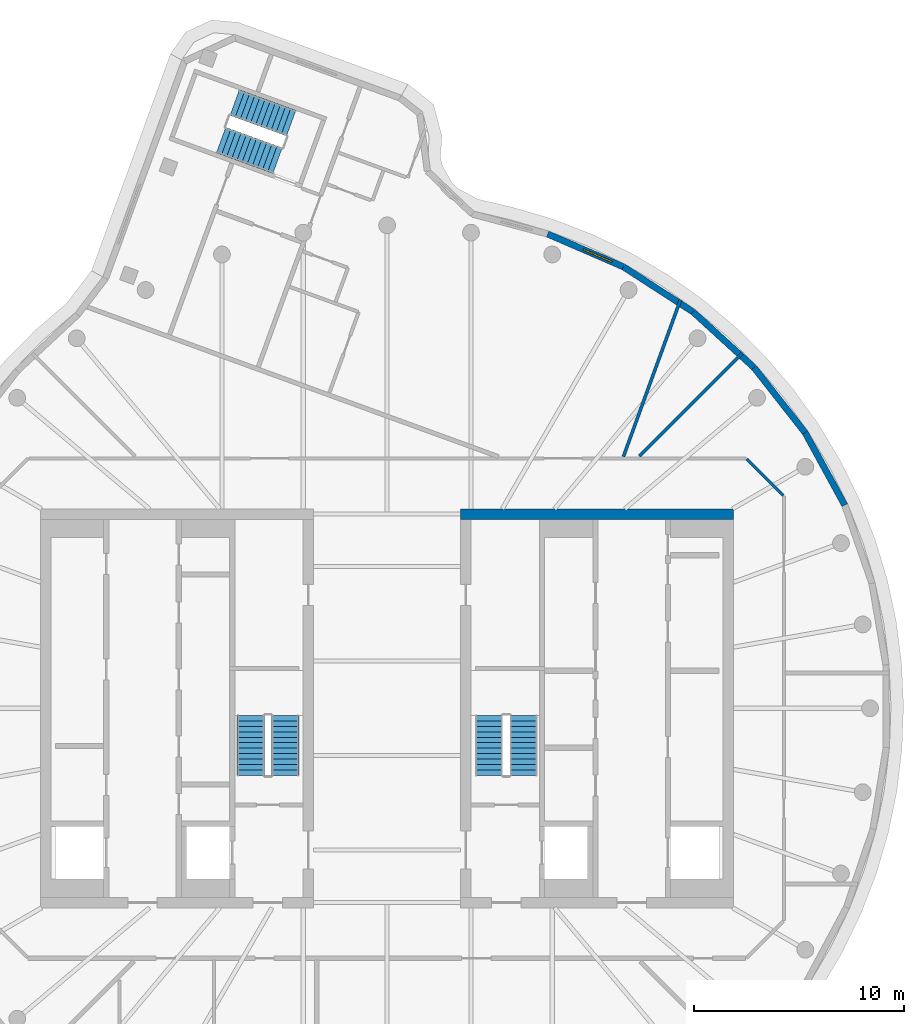
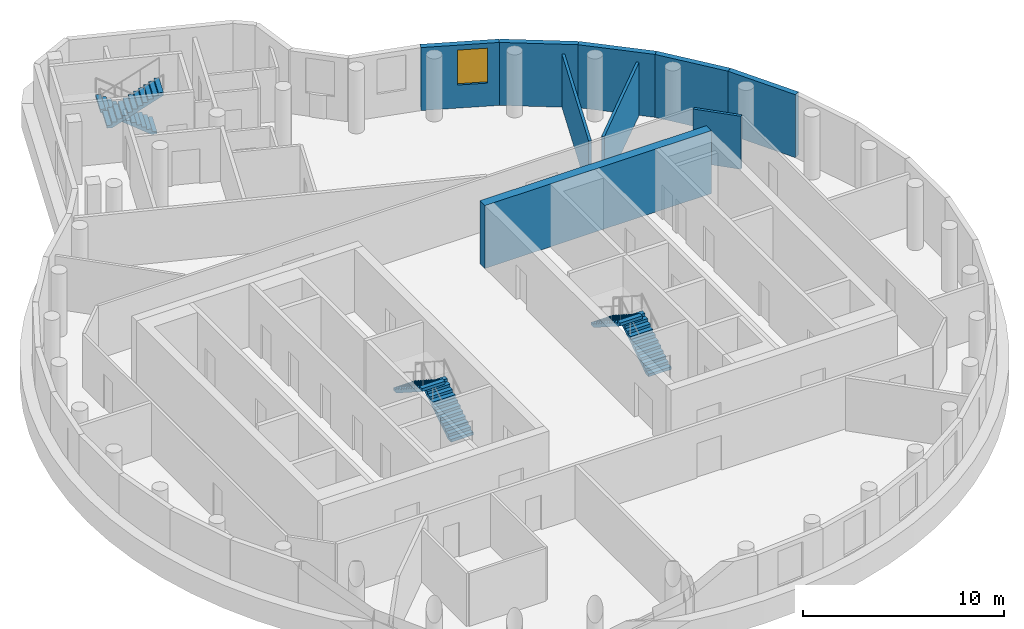
# One storey, part 6 of 7: 9 walls, 6 stair flights, 1 window, 1 opening, 3 elements without a shape of their own.
"""IFC4 building model written with IfcOpenShell, lengths in metres."""

from ifc_helpers import new_model, si_unit, direction, frame, frame_2d, origin, place, context, subcontext, project, spatial, polyline, rectangle, outline, extrude, material, layer, layer_set, type_object, element, fill, aggregate, save


model = new_model("IFC4")

# Units and contexts
model_context = context("Model", 3, precision=1e-05, world=origin(), true_north=direction((0.0, 1.0)))
body_context = subcontext(model_context, "Body", "Model", "MODEL_VIEW")
ifc_project = project(units=[si_unit("LENGTHUNIT", "METRE"), si_unit("AREAUNIT", "SQUARE_METRE"), si_unit("VOLUMEUNIT", "CUBIC_METRE"), si_unit("PLANEANGLEUNIT", "RADIAN"), si_unit("MASSUNIT", "GRAM", prefix="KILO")], contexts=[model_context])

# Site, building, storey
site_placement = place(None, origin())
site = spatial("IfcSite", under=ifc_project, at=site_placement, CompositionType="ELEMENT")
building_placement = place(site_placement, origin())
building = spatial("IfcBuilding", under=site, at=building_placement, Name="Tamarind Cross Interchange Tower", CompositionType="ELEMENT")
storey_placement = place(building_placement, frame((0.0, 0.0, 321.39990234375)))
storey = spatial("IfcBuildingStorey", under=building, at=storey_placement, Name="L79", CompositionType="ELEMENT", Elevation=321.39990234375)

# Walls
ifc_material_1 = material(Name="Concrete C50", Category="concrete")
ifc_layer_1 = layer(ifc_material_1, 0.5)
ifc_layer_set_1 = layer_set([ifc_layer_1], Name="Concrete C50")
wall_type_1 = type_object("IfcWallType", Name="Core wall 500 mm Concrete C50", PredefinedType="SHEAR", material=ifc_layer_set_1)
wall_1_placement = place(storey_placement, frame((16.5, 9.25, 0.0), z_axis=(0.0, 0.0, 1.0), x_axis=(-1.0, 0.0, 0.0)))
element("IfcWall", 1, at=wall_1_placement, inside=storey, type_object=wall_type_1, Name="Core wall CWL-L79-E-NE", PredefinedType="SHEAR", context=body_context, shape_type="SweptSolid", body=[
    extrude(rectangle(XDim=13.0, YDim=0.5, at=frame_2d((6.5, 0.0))), origin(), (0.0, 0.0, 1.0), 3.820068359375),
])
ifc_material_2 = material(Name="Gypsum board partition on steel studs", Category="steel")
ifc_layer_2 = layer(ifc_material_2, 0.14990234375)
ifc_layer_set_2 = layer_set([ifc_layer_2], Name="Gypsum board partition on steel studs")
wall_type_2 = type_object("IfcWallType", Name="Partition 150 mm EI 120", PredefinedType="PARTITIONING", material=ifc_layer_set_2)
wall_2_placement = place(storey_placement, frame((17.12841796875, 11.87158203125, 0.0), z_axis=(0.0, 0.0, 1.0), x_axis=(0.707106781187, -0.707106781187, 0.0)))
element("IfcWall", 2, at=wall_2_placement, inside=storey, type_object=wall_type_2, Name="Partition L79-004", PredefinedType="PARTITIONING", context=body_context, shape_type="SweptSolid", body=[
    extrude(rectangle(XDim=2.465087890625, YDim=0.14990234375, at=frame_2d((1.232421875, 0.0))), origin(), (0.0, 0.0, 1.0), 3.22021484375),
])
wall_3_placement = place(storey_placement, frame((12.009521484375, 12.009521484375, 0.0), z_axis=(0.0, 0.0, 1.0), x_axis=(0.707106781187, 0.707106781187, 0.0)))
element("IfcWall", 3, at=wall_3_placement, inside=storey, type_object=wall_type_2, Name="Partition L79-020", PredefinedType="PARTITIONING", context=body_context, shape_type="SweptSolid", body=[
    extrude(rectangle(XDim=6.954345703125, YDim=0.14990234375, at=frame_2d((3.47705078125, 0.0))), origin(), (0.0, 0.0, 1.0), 3.22021484375),
])
wall_4_placement = place(storey_placement, frame((11.25390625, 11.984619140625, 0.0), z_axis=(0.0, 0.0, 1.0), x_axis=(0.341898627175, 0.93973684015, 0.0)))
element("IfcWall", 4, at=wall_4_placement, inside=storey, type_object=wall_type_2, Name="Partition L79-030", PredefinedType="PARTITIONING", context=body_context, shape_type="SweptSolid", body=[
    extrude(rectangle(XDim=7.938232421875, YDim=0.14990234375, at=frame_2d((3.96923828125, 0.0))), origin(), (0.0, 0.0, 1.0), 3.22021484375),
])
ifc_material_3 = material(Name="Precast concrete C40", Category="concrete")
ifc_layer_3 = layer(ifc_material_3, 0.300048828125)
ifc_layer_set_3 = layer_set([ifc_layer_3], Name="Precast concrete C40")
wall_type_3 = type_object("IfcWallType", Name="Plant louvre wall", PredefinedType="SOLIDWALL", material=ifc_layer_set_3)
wall_5_placement = place(storey_placement, frame((21.7958984375, 9.672607421875, 0.0), z_axis=(0.0, 0.0, 1.0), x_axis=(-0.479742253376, 0.877409465601, 0.0)))
element("IfcWall", 5, at=wall_5_placement, inside=storey, type_object=wall_type_3, Name="EXW-L79-02-28", PredefinedType="SOLIDWALL", context=body_context, shape_type="SweptSolid", body=[
    extrude(rectangle(XDim=3.9384765625, YDim=0.300048828125, at=frame_2d((1.96923828125, 0.0))), origin(), (0.0, 0.0, 1.0), 3.820068359375),
])
wall_6_placement = place(storey_placement, frame((19.906494140625, 13.128173828125, 0.0), z_axis=(0.0, 0.0, 1.0), x_axis=(-0.617577851206, 0.786509756901, 0.0)))
element("IfcWall", 6, at=wall_6_placement, inside=storey, type_object=wall_type_3, Name="EXW-L79-02-29", PredefinedType="SOLIDWALL", context=body_context, shape_type="SweptSolid", body=[
    extrude(rectangle(XDim=3.938232421875, YDim=0.300048828125, at=frame_2d((1.96923828125, 0.0))), origin(), (0.0, 0.0, 1.0), 3.820068359375),
])
wall_7_placement = place(storey_placement, frame((17.474365234375, 16.2255859375, 0.0), z_axis=(0.0, 0.0, 1.0), x_axis=(-0.738634435884, 0.674106200926, 0.0)))
element("IfcWall", 7, at=wall_7_placement, inside=storey, type_object=wall_type_3, Name="EXW-L79-02-30", PredefinedType="SOLIDWALL", context=body_context, shape_type="SweptSolid", body=[
    extrude(rectangle(XDim=3.9384765625, YDim=0.300048828125, at=frame_2d((1.96923828125, 0.0))), origin(), (0.0, 0.0, 1.0), 3.820068359375),
])
wall_8_placement = place(storey_placement, frame((14.565185546875, 18.880615234375, 0.0), z_axis=(0.0, 0.0, 1.0), x_axis=(-0.839498632024, 0.54336180104, 0.0)))
element("IfcWall", 8, at=wall_8_placement, inside=storey, type_object=wall_type_3, Name="EXW-L79-02-31", PredefinedType="SOLIDWALL", context=body_context, shape_type="SweptSolid", body=[
    extrude(rectangle(XDim=3.938232421875, YDim=0.300048828125, at=frame_2d((1.96923828125, 0.0))), origin(), (0.0, 0.0, 1.0), 3.820068359375),
])

# Wall, opening, window
wall_9_placement = place(storey_placement, frame((11.259033203125, 21.0205078125, 0.0), z_axis=(0.0, 0.0, 1.0), x_axis=(-0.917505110173, 0.397723990735, 0.0)))
wall_9 = element("IfcWall", 9, at=wall_9_placement, inside=storey, type_object=wall_type_3, Name="EXW-L79-02-32", PredefinedType="SOLIDWALL", context=body_context, shape_type="SweptSolid", body=[
    extrude(rectangle(XDim=3.9384765625, YDim=0.300048828125, at=frame_2d((1.96923828125, 0.0))), origin(), (0.0, 0.0, 1.0), 3.820068359375),
])
opening_placement = place(wall_9_placement, frame((0.60009765625, 0.0, 1.39990234375)))
opening = element("IfcOpeningElement", 10, at=opening_placement, cuts=wall_9, Name="Opening W2", PredefinedType="OPENING", context=body_context, shape_type="SweptSolid", body=[
    extrude(rectangle(XDim=1.498291015625, YDim=2.1201171875, at=frame_2d((0.7490234375, 1.06005859375))), frame((0.0, 0.159912109375, 0.0), z_axis=(0.0, -1.0, 0.0), x_axis=(1.0, 0.0, 0.0)), (0.0, 0.0, 1.0), 0.320068359375),
])
ifc_material_4 = material(Name="Aluminium louvre", Category="aluminium")
window_type = type_object("IfcWindowType", Name="Plant louvre bank", PartitioningType="SINGLE_PANEL", PredefinedType="WINDOW", material=ifc_material_4)
window_placement = place(opening_placement, origin())
window = element("IfcWindow", 11, at=window_placement, inside=storey, type_object=window_type, Name="WIN-L79-02-32", OverallHeight=2.1201171875, OverallWidth=1.498291015625, PartitioningType="SINGLE_PANEL", PredefinedType="WINDOW", context=body_context, shape_type="SweptSolid", body=[
    extrude(rectangle(XDim=1.498291015625, YDim=2.1201171875, at=frame_2d((0.7490234375, 1.06005859375))), frame((0.0, 0.030029296875, 0.0), z_axis=(0.0, -1.0, 0.0), x_axis=(1.0, 0.0, 0.0)), (0.0, 0.0, 1.0), 0.06005859375),
])
fill(opening, window)

# Stair, stair flights
ifc_material_5 = material(Name="Exit stair")
stair_type = type_object("IfcStairType", Name="Exit stair", PredefinedType="HALF_TURN_STAIR", material=ifc_material_5)
stair_1_placement = place(storey_placement, origin())
stair_1 = element("IfcStair", 12, at=stair_1_placement, inside=storey, type_object=stair_type, Name="L79 exit stair ST1", PredefinedType="HALF_TURN_STAIR")
ifc_material_6 = material(Name="Exit stair flight")
stair_flight_type = type_object("IfcStairFlightType", Name="Exit stair flight", PredefinedType="STRAIGHT", material=ifc_material_6)
stair_flight_1_placement = place(storey_placement, frame((-4.85009765625, -3.199951171875, 0.0), z_axis=(0.0, 0.0, 1.0), x_axis=(0.0, 1.0, 0.0)))
stair_flight_1 = element("IfcStairFlight", 13, at=stair_flight_1_placement, type_object=stair_flight_type, Name="ST1 flight 1", NumberOfRisers=12, NumberOfTreads=11, PredefinedType="STRAIGHT", RiserHeight=0.166666667, TreadLength=0.26, context=body_context, shape_type="SweptSolid", body=[
    extrude(outline(polyline([(0.0, 0.0), (0.0, 0.166748046875), (0.260009765625, 0.166748046875), (0.260009765625, 0.333251953125), (0.52001953125, 0.333251953125), (0.52001953125, 0.5), (0.780029296875, 0.5), (0.780029296875, 0.666748046875), (1.0400390625, 0.666748046875), (1.0400390625, 0.833251953125), (1.300048828125, 0.833251953125), (1.300048828125, 1.0), (1.56005859375, 1.0), (1.56005859375, 1.166748046875), (1.820068359375, 1.166748046875), (1.820068359375, 1.333251953125), (2.080078125, 1.333251953125), (2.080078125, 1.5), (2.340087890625, 1.5), (2.340087890625, 1.666748046875), (2.60009765625, 1.666748046875), (2.60009765625, 1.833251953125), (2.860107421875, 1.833251953125), (2.860107421875, 2.0), (2.860107421875, 1.6552734375), (0.27783203125, 0.0), (0.0, 0.0)])), frame((0.0, 0.64990234375, 0.0), z_axis=(0.0, -1.0, 0.0), x_axis=(1.0, 0.0, 0.0)), (0.0, 0.0, 1.0), 1.300048828125),
])
stair_flight_2_placement = place(storey_placement, frame((-6.5, -0.340087890625, 2.0), z_axis=(0.0, 0.0, 1.0), x_axis=(0.0, -1.0, 0.0)))
stair_flight_2 = element("IfcStairFlight", 14, at=stair_flight_2_placement, type_object=stair_flight_type, Name="ST1 flight 2", NumberOfRisers=12, NumberOfTreads=11, PredefinedType="STRAIGHT", RiserHeight=0.166666667, TreadLength=0.26, context=body_context, shape_type="SweptSolid", body=[
    extrude(outline(polyline([(0.0, 0.0), (0.0, 0.166748046875), (0.260009765625, 0.166748046875), (0.260009765625, 0.333251953125), (0.52001953125, 0.333251953125), (0.52001953125, 0.5), (0.780029296875, 0.5), (0.780029296875, 0.666748046875), (1.0400390625, 0.666748046875), (1.0400390625, 0.833251953125), (1.300048828125, 0.833251953125), (1.300048828125, 1.0), (1.56005859375, 1.0), (1.56005859375, 1.166748046875), (1.820068359375, 1.166748046875), (1.820068359375, 1.333251953125), (2.080078125, 1.333251953125), (2.080078125, 1.5), (2.340087890625, 1.5), (2.340087890625, 1.666748046875), (2.60009765625, 1.666748046875), (2.60009765625, 1.833251953125), (2.860107421875, 1.833251953125), (2.860107421875, 2.0), (2.860107421875, 1.6552734375), (0.27783203125, 0.0), (0.0, 0.0)])), frame((0.0, 0.64990234375, 0.0), z_axis=(0.0, -1.0, 0.0), x_axis=(1.0, 0.0, 0.0)), (0.0, 0.0, 1.0), 1.300048828125),
])
aggregate(stair_1, [stair_flight_1, stair_flight_2])

stair_2_placement = place(storey_placement, origin())
stair_2 = element("IfcStair", 15, at=stair_2_placement, inside=storey, type_object=stair_type, Name="L79 exit stair ST2", PredefinedType="HALF_TURN_STAIR")
stair_flight_3_placement = place(storey_placement, frame((6.5, -3.199951171875, 0.0), z_axis=(0.0, 0.0, 1.0), x_axis=(0.0, 1.0, 0.0)))
stair_flight_3 = element("IfcStairFlight", 16, at=stair_flight_3_placement, type_object=stair_flight_type, Name="ST2 flight 1", NumberOfRisers=12, NumberOfTreads=11, PredefinedType="STRAIGHT", RiserHeight=0.166666667, TreadLength=0.26, context=body_context, shape_type="SweptSolid", body=[
    extrude(outline(polyline([(0.0, 0.0), (0.0, 0.166748046875), (0.260009765625, 0.166748046875), (0.260009765625, 0.333251953125), (0.52001953125, 0.333251953125), (0.52001953125, 0.5), (0.780029296875, 0.5), (0.780029296875, 0.666748046875), (1.0400390625, 0.666748046875), (1.0400390625, 0.833251953125), (1.300048828125, 0.833251953125), (1.300048828125, 1.0), (1.56005859375, 1.0), (1.56005859375, 1.166748046875), (1.820068359375, 1.166748046875), (1.820068359375, 1.333251953125), (2.080078125, 1.333251953125), (2.080078125, 1.5), (2.340087890625, 1.5), (2.340087890625, 1.666748046875), (2.60009765625, 1.666748046875), (2.60009765625, 1.833251953125), (2.860107421875, 1.833251953125), (2.860107421875, 2.0), (2.860107421875, 1.6552734375), (0.27783203125, 0.0), (0.0, 0.0)])), frame((0.0, 0.64990234375, 0.0), z_axis=(0.0, -1.0, 0.0), x_axis=(1.0, 0.0, 0.0)), (0.0, 0.0, 1.0), 1.300048828125),
])
stair_flight_4_placement = place(storey_placement, frame((4.85009765625, -0.340087890625, 2.0), z_axis=(0.0, 0.0, 1.0), x_axis=(0.0, -1.0, 0.0)))
stair_flight_4 = element("IfcStairFlight", 17, at=stair_flight_4_placement, type_object=stair_flight_type, Name="ST2 flight 2", NumberOfRisers=12, NumberOfTreads=11, PredefinedType="STRAIGHT", RiserHeight=0.166666667, TreadLength=0.26, context=body_context, shape_type="SweptSolid", body=[
    extrude(outline(polyline([(0.0, 0.0), (0.0, 0.166748046875), (0.260009765625, 0.166748046875), (0.260009765625, 0.333251953125), (0.52001953125, 0.333251953125), (0.52001953125, 0.5), (0.780029296875, 0.5), (0.780029296875, 0.666748046875), (1.0400390625, 0.666748046875), (1.0400390625, 0.833251953125), (1.300048828125, 0.833251953125), (1.300048828125, 1.0), (1.56005859375, 1.0), (1.56005859375, 1.166748046875), (1.820068359375, 1.166748046875), (1.820068359375, 1.333251953125), (2.080078125, 1.333251953125), (2.080078125, 1.5), (2.340087890625, 1.5), (2.340087890625, 1.666748046875), (2.60009765625, 1.666748046875), (2.60009765625, 1.833251953125), (2.860107421875, 1.833251953125), (2.860107421875, 2.0), (2.860107421875, 1.6552734375), (0.27783203125, 0.0), (0.0, 0.0)])), frame((0.0, 0.64990234375, 0.0), z_axis=(0.0, -1.0, 0.0), x_axis=(1.0, 0.0, 0.0)), (0.0, 0.0, 1.0), 1.300048828125),
])
aggregate(stair_2, [stair_flight_3, stair_flight_4])

stair_3_placement = place(storey_placement, origin())
stair_3 = element("IfcStair", 18, at=stair_3_placement, inside=storey, type_object=stair_type, Name="L79 exit stair ST4", PredefinedType="HALF_TURN_STAIR")
stair_flight_5_placement = place(storey_placement, frame((-4.5693359375, 27.866455078125, 0.0), z_axis=(0.0, 0.0, 1.0), x_axis=(-0.939702171424, 0.341993902024, 0.0)))
stair_flight_5 = element("IfcStairFlight", 19, at=stair_flight_5_placement, type_object=stair_flight_type, Name="ST4 flight 1", NumberOfRisers=12, NumberOfTreads=11, PredefinedType="STRAIGHT", RiserHeight=0.166666667, TreadLength=0.26, context=body_context, shape_type="SweptSolid", body=[
    extrude(outline(polyline([(0.0, 0.0), (0.0, 0.166748046875), (0.260009765625, 0.166748046875), (0.260009765625, 0.333251953125), (0.52001953125, 0.333251953125), (0.52001953125, 0.5), (0.780029296875, 0.5), (0.780029296875, 0.666748046875), (1.0400390625, 0.666748046875), (1.0400390625, 0.833251953125), (1.300048828125, 0.833251953125), (1.300048828125, 1.0), (1.56005859375, 1.0), (1.56005859375, 1.166748046875), (1.820068359375, 1.166748046875), (1.820068359375, 1.333251953125), (2.080078125, 1.333251953125), (2.080078125, 1.5), (2.340087890625, 1.5), (2.340087890625, 1.666748046875), (2.60009765625, 1.666748046875), (2.60009765625, 1.833251953125), (2.860107421875, 1.833251953125), (2.860107421875, 2.0), (2.860107421875, 1.6552734375), (0.27783203125, 0.0), (0.0, 0.0)])), frame((0.0, 0.64990234375, 0.0), z_axis=(0.0, -1.0, 0.0), x_axis=(1.0, 0.0, 0.0)), (0.0, 0.0, 1.0), 1.300048828125),
])
stair_flight_6_placement = place(storey_placement, frame((-7.906494140625, 27.05908203125, 2.0), z_axis=(0.0, 0.0, 1.0), x_axis=(0.939702171424, -0.341993902024, 0.0)))
stair_flight_6 = element("IfcStairFlight", 20, at=stair_flight_6_placement, type_object=stair_flight_type, Name="ST4 flight 2", NumberOfRisers=12, NumberOfTreads=11, PredefinedType="STRAIGHT", RiserHeight=0.166666667, TreadLength=0.26, context=body_context, shape_type="SweptSolid", body=[
    extrude(outline(polyline([(0.0, 0.0), (0.0, 0.166748046875), (0.260009765625, 0.166748046875), (0.260009765625, 0.333251953125), (0.52001953125, 0.333251953125), (0.52001953125, 0.5), (0.780029296875, 0.5), (0.780029296875, 0.666748046875), (1.0400390625, 0.666748046875), (1.0400390625, 0.833251953125), (1.300048828125, 0.833251953125), (1.300048828125, 1.0), (1.56005859375, 1.0), (1.56005859375, 1.166748046875), (1.820068359375, 1.166748046875), (1.820068359375, 1.333251953125), (2.080078125, 1.333251953125), (2.080078125, 1.5), (2.340087890625, 1.5), (2.340087890625, 1.666748046875), (2.60009765625, 1.666748046875), (2.60009765625, 1.833251953125), (2.860107421875, 1.833251953125), (2.860107421875, 2.0), (2.860107421875, 1.6552734375), (0.27783203125, 0.0), (0.0, 0.0)])), frame((0.0, 0.64990234375, 0.0), z_axis=(0.0, -1.0, 0.0), x_axis=(1.0, 0.0, 0.0)), (0.0, 0.0, 1.0), 1.300048828125),
])
aggregate(stair_3, [stair_flight_5, stair_flight_6])

save(model, "model.ifc")
